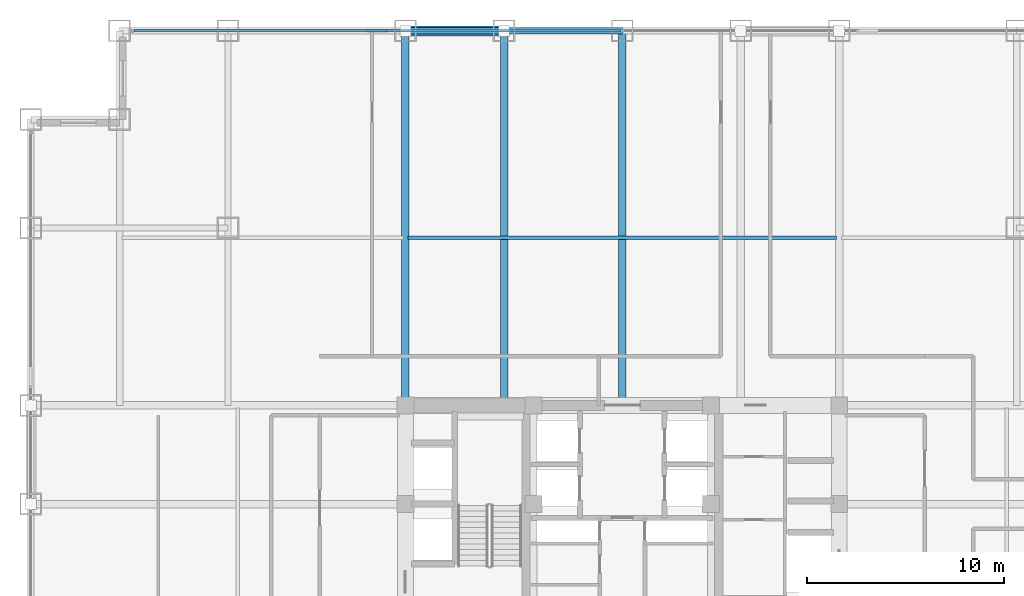
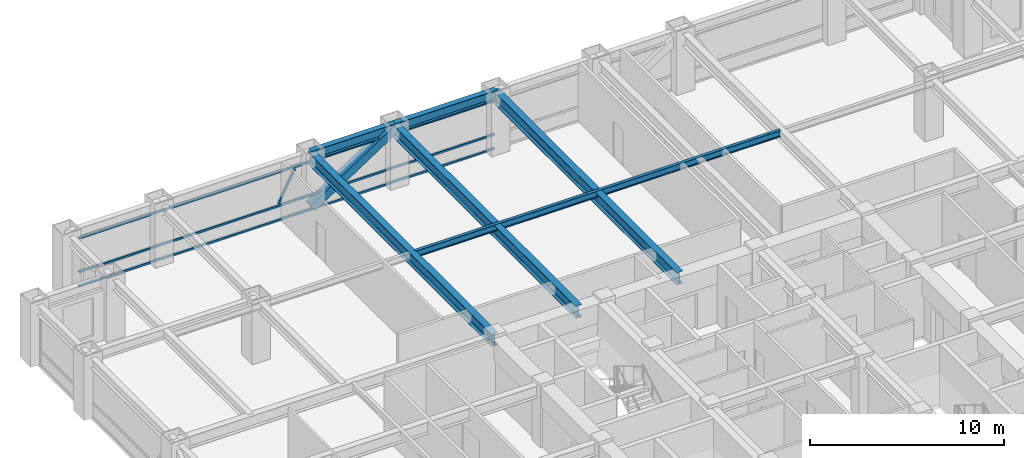
# One storey, part 15 of 24: 6 beams, 5 members, 1 element without a shape of its own.
"""IFC4 building model written with IfcOpenShell, lengths in metres."""

from ifc_helpers import new_model, si_unit, direction, frame, origin, origin_2d, place, context, subcontext, project, spatial, hollow_rectangle, i_section, extrude, source, transform, mapped, material, material_profile, profile_set, type_object, element, aggregate, save


model = new_model("IFC4")

# Units and contexts
model_context = context("Model", 3, precision=1e-05, world=origin(), true_north=direction((0.0, 1.0)))
body_context = subcontext(model_context, "Body", "Model", "MODEL_VIEW")
ifc_project = project(units=[si_unit("LENGTHUNIT", "METRE"), si_unit("AREAUNIT", "SQUARE_METRE"), si_unit("VOLUMEUNIT", "CUBIC_METRE"), si_unit("PLANEANGLEUNIT", "RADIAN"), si_unit("MASSUNIT", "GRAM", prefix="KILO")], contexts=[model_context])

# Site, building, storey
site_placement = place(None, origin())
site = spatial("IfcSite", under=ifc_project, at=site_placement, CompositionType="ELEMENT")
building_placement = place(site_placement, origin())
building = spatial("IfcBuilding", under=site, at=building_placement, Name="Khorayat Bourse Tower", CompositionType="ELEMENT")
storey_placement = place(building_placement, frame((0.0, 0.0, 179.10009765625)))
storey = spatial("IfcBuildingStorey", under=building, at=storey_placement, Name="L41", CompositionType="ELEMENT", Elevation=179.10009765625)

# Beams
ifc_material_1 = material(Name="Steel ASTM A992 Grade 50", Category="steel")
ifc_material_profile_1 = material_profile(ifc_material_1, i_section(OverallWidth=0.381103515625, OverallDepth=0.77294921875, WebThickness=0.0166015625, FlangeThickness=0.027587890625, FilletRadius=0.01806640625, at=origin_2d()), Name="W760X257")
ifc_profile_set_1 = profile_set([ifc_material_profile_1], Name="Steel ASTM A992 Grade 50")
beam_type_1 = type_object("IfcBeamType", Name="BM-GIRD-760", PredefinedType="BEAM", material=ifc_profile_set_1)
shared_shape_1 = source(origin(), body_context, "Body", "SweptSolid", [
    extrude(i_section(OverallWidth=0.381103515625, OverallDepth=0.77294921875, WebThickness=0.0166015625, FlangeThickness=0.027587890625, FilletRadius=0.01806640625, at=origin_2d()), origin(), (0.0, 0.0, 1.0), 19.0),
])
for number, where, z_axis, x_axis, name in (
    (1, (-11.0, 11.0, 3.393310546875), (0.0, 1.0, 0.0), (-1.0, 0.0, 0.0), "L41 BM-GIRD-760 BM-L41-RADY-064"),
    (2, (-6.0, 11.0, 3.393310546875), (0.0, 1.0, 0.0), (-1.0, 0.0, 0.0), "L41 BM-GIRD-760 BM-L41-RADY-066"),
    (3, (0.0, 11.0, 3.393310546875), (0.0, 1.0, 0.0), (-1.0, 0.0, 0.0), "L41 BM-GIRD-760 BM-L41-RADY-068"),
):
    element("IfcBeam", number, at=place(storey_placement, frame(where, z_axis=z_axis, x_axis=x_axis)), inside=storey, type_object=beam_type_1, Name=name, PredefinedType="BEAM", context=body_context, shape_type="MappedRepresentation", body=[
        mapped(shared_shape_1, transform((0.0, 0.0, 0.0), scale=1.0)),
    ])
ifc_material_profile_2 = material_profile(ifc_material_1, i_section(OverallWidth=0.180908203125, OverallDepth=0.4169921875, WebThickness=0.010986328125, FlangeThickness=0.018310546875, FilletRadius=0.011962890625, at=origin_2d()), Name="W410X85")
ifc_profile_set_2 = profile_set([ifc_material_profile_2], Name="Steel ASTM A992 Grade 50")
beam_type_2 = type_object("IfcBeamType", Name="BM-JOIST-410", PredefinedType="JOIST", material=ifc_profile_set_2)
shared_shape_2 = source(origin(), body_context, "Body", "SweptSolid", [
    extrude(i_section(OverallWidth=0.180908203125, OverallDepth=0.4169921875, WebThickness=0.010986328125, FlangeThickness=0.018310546875, FilletRadius=0.011962890625, at=origin_2d()), origin(), (0.0, 0.0, 1.0), 21.740234375),
])
beam_1_placement = place(storey_placement, frame((-10.8701171875, 19.5, 3.5712890625), z_axis=(1.0, 0.0, 0.0), x_axis=(0.0, 1.0, 0.0)))
element("IfcBeam", 4, at=beam_1_placement, inside=storey, type_object=beam_type_2, Name="L41 BM-JOIST-410 BM-L41-JSTX-100", PredefinedType="JOIST", context=body_context, shape_type="MappedRepresentation", body=[
    mapped(shared_shape_2, transform((0.0, 0.0, 0.0), scale=1.0)),
])
ifc_material_profile_3 = material_profile(ifc_material_1, i_section(OverallWidth=0.324951171875, OverallDepth=0.615966796875, WebThickness=0.013916015625, FlangeThickness=0.021484375, FilletRadius=0.01611328125, at=origin_2d()), Name="W610X174")
ifc_profile_set_3 = profile_set([ifc_material_profile_3], Name="Steel ASTM A992 Grade 50")
beam_type_3 = type_object("IfcBeamType", Name="BM-SPAN-610", PredefinedType="SPANDREL", material=ifc_profile_set_3)
shared_shape_3 = source(origin(), body_context, "Body", "SweptSolid", [
    extrude(i_section(OverallWidth=0.324951171875, OverallDepth=0.615966796875, WebThickness=0.013916015625, FlangeThickness=0.021484375, FilletRadius=0.01611328125, at=origin_2d()), origin(), (0.0, 0.0, 1.0), 5.0),
])
beam_2_placement = place(storey_placement, frame((-11.0, 30.0, 3.471923828125), z_axis=(1.0, 0.0, 0.0), x_axis=(0.0, 1.0, 0.0)))
element("IfcBeam", 5, at=beam_2_placement, inside=storey, type_object=beam_type_3, Name="L41 BM-SPAN-610 BM-L41-SPN-049", PredefinedType="SPANDREL", context=body_context, shape_type="MappedRepresentation", body=[
    mapped(shared_shape_3, transform((0.0, 0.0, 0.0), scale=1.0)),
])
shared_shape_4 = source(origin(), body_context, "Body", "SweptSolid", [
    extrude(i_section(OverallWidth=0.324951171875, OverallDepth=0.615966796875, WebThickness=0.013916015625, FlangeThickness=0.021484375, FilletRadius=0.01611328125, at=origin_2d()), origin(), (0.0, 0.0, 1.0), 6.0),
])
beam_3_placement = place(storey_placement, frame((-6.0, 30.0, 3.471923828125), z_axis=(1.0, 0.0, 0.0), x_axis=(0.0, 1.0, 0.0)))
element("IfcBeam", 6, at=beam_3_placement, inside=storey, type_object=beam_type_3, Name="L41 BM-SPAN-610 BM-L41-SPN-048", PredefinedType="SPANDREL", context=body_context, shape_type="MappedRepresentation", body=[
    mapped(shared_shape_4, transform((0.0, 0.0, 0.0), scale=1.0)),
])

# Member
ifc_material_2 = material(Name="Steel EN 10025-4 S460M", Category="steel")
ifc_material_profile_4 = material_profile(ifc_material_2, hollow_rectangle(XDim=0.5, YDim=0.5, WallThickness=0.028076171875, at=origin_2d()), Name="HSS 500x500x28")
ifc_profile_set_4 = profile_set([ifc_material_profile_4], Name="Steel EN 10025-4 S460M")
member_type_1 = type_object("IfcMemberType", Name="MBR-TUBE-500", PredefinedType="BRACE", material=ifc_profile_set_4)
shared_shape_5 = source(origin(), body_context, "Body", "SweptSolid", [
    extrude(hollow_rectangle(XDim=0.5, YDim=0.5, WallThickness=0.028076171875, at=origin_2d()), origin(), (0.0, 0.0, 1.0), 5.979736328125),
])
member_1_placement = place(storey_placement, frame((-11.0, 30.0, 0.25), z_axis=(0.836160261256, 0.0, 0.548485202623), x_axis=(0.0, 1.0, 0.0)))
element("IfcMember", 7, at=member_1_placement, inside=storey, type_object=member_type_1, Name="L41 Perimeter Tube Brace 03", PredefinedType="BRACE", context=body_context, shape_type="MappedRepresentation", body=[
    mapped(shared_shape_5, transform((0.0, 0.0, 0.0), scale=1.0)),
])

# Curtain wall, members
ifc_material_3 = material(Name="Aluminium EN AW-6063 T6", Category="aluminium")
curtain_wall_type = type_object("IfcCurtainWallType", Name="CW-SYS-03", PredefinedType="NOTDEFINED", material=ifc_material_3)
curtain_wall_placement = place(storey_placement, origin())
curtain_wall = element("IfcCurtainWall", 8, at=curtain_wall_placement, inside=storey, type_object=curtain_wall_type, Name="L41 Curtain Wall CW-L41-N1", PredefinedType="NOTDEFINED")
ifc_material_profile_5 = material_profile(ifc_material_3, hollow_rectangle(XDim=0.1201171875, YDim=0.1201171875, WallThickness=0.0048828125, at=origin_2d()), Name="ALU 120x120x5")
ifc_profile_set_5 = profile_set([ifc_material_profile_5], Name="Aluminium EN AW-6063 T6")
member_type_2 = type_object("IfcMemberType", Name="CWM-DIAG-120", PredefinedType="MULLION", material=ifc_profile_set_5)
shared_shape_6 = source(origin(), body_context, "Body", "SweptSolid", [
    extrude(hollow_rectangle(XDim=0.1201171875, YDim=0.1201171875, WallThickness=0.0048828125, at=origin_2d()), origin(), (0.0, 0.0, 1.0), 2.079345703125),
])
member_2_placement = place(storey_placement, frame((-12.904296875, 30.0, 1.08984375), z_axis=(0.465760949701, 0.0, 0.884910581773), x_axis=(0.0, 1.0, 0.0)))
member_2 = element("IfcMember", 9, at=member_2_placement, type_object=member_type_2, Name="CW-L41-N1 Faceted Diagonal Mullion 1", PredefinedType="MULLION", context=body_context, shape_type="MappedRepresentation", body=[
    mapped(shared_shape_6, transform((0.0, 0.0, 0.0), scale=1.0)),
])
ifc_material_profile_6 = material_profile(ifc_material_3, hollow_rectangle(XDim=0.1201171875, YDim=0.1201171875, WallThickness=0.0048828125, at=origin_2d()), Name="ALU 120x120x5")
ifc_profile_set_6 = profile_set([ifc_material_profile_6], Name="Aluminium EN AW-6063 T6")
member_type_3 = type_object("IfcMemberType", Name="CWT-HORZ-120", PredefinedType="USERDEFINED", material=ifc_profile_set_6)
shared_shape_7 = source(origin(), body_context, "Body", "SweptSolid", [
    extrude(hollow_rectangle(XDim=0.1201171875, YDim=0.1201171875, WallThickness=0.0048828125, at=origin_2d()), origin(), (0.0, 0.0, 1.0), 24.719970703125),
])
member_3_placement = place(storey_placement, frame((-24.780029296875, 30.0, 0.059814453125), z_axis=(1.0, 0.0, 0.0), x_axis=(0.0, 1.0, 0.0)))
member_3 = element("IfcMember", 10, at=member_3_placement, type_object=member_type_3, Name="CW-L41-N1 Horizontal Transom 1-1", ObjectType="TRANSOM", PredefinedType="USERDEFINED", context=body_context, shape_type="MappedRepresentation", body=[
    mapped(shared_shape_7, transform((0.0, 0.0, 0.0), scale=1.0)),
])
member_4_placement = place(storey_placement, frame((-24.780029296875, 30.0, 0.949951171875), z_axis=(1.0, 0.0, 0.0), x_axis=(0.0, 1.0, 0.0)))
member_4 = element("IfcMember", 11, at=member_4_placement, type_object=member_type_3, Name="CW-L41-N1 Horizontal Transom 1-2", ObjectType="TRANSOM", PredefinedType="USERDEFINED", context=body_context, shape_type="MappedRepresentation", body=[
    mapped(shared_shape_7, transform((0.0, 0.0, 0.0), scale=1.0)),
])
member_5_placement = place(storey_placement, frame((-24.780029296875, 30.0, 3.06982421875), z_axis=(1.0, 0.0, 0.0), x_axis=(0.0, 1.0, 0.0)))
member_5 = element("IfcMember", 12, at=member_5_placement, type_object=member_type_3, Name="CW-L41-N1 Horizontal Transom 1-3", ObjectType="TRANSOM", PredefinedType="USERDEFINED", context=body_context, shape_type="MappedRepresentation", body=[
    mapped(shared_shape_7, transform((0.0, 0.0, 0.0), scale=1.0)),
])
aggregate(curtain_wall, [member_3, member_4, member_5, member_2])

save(model, "model.ifc")
